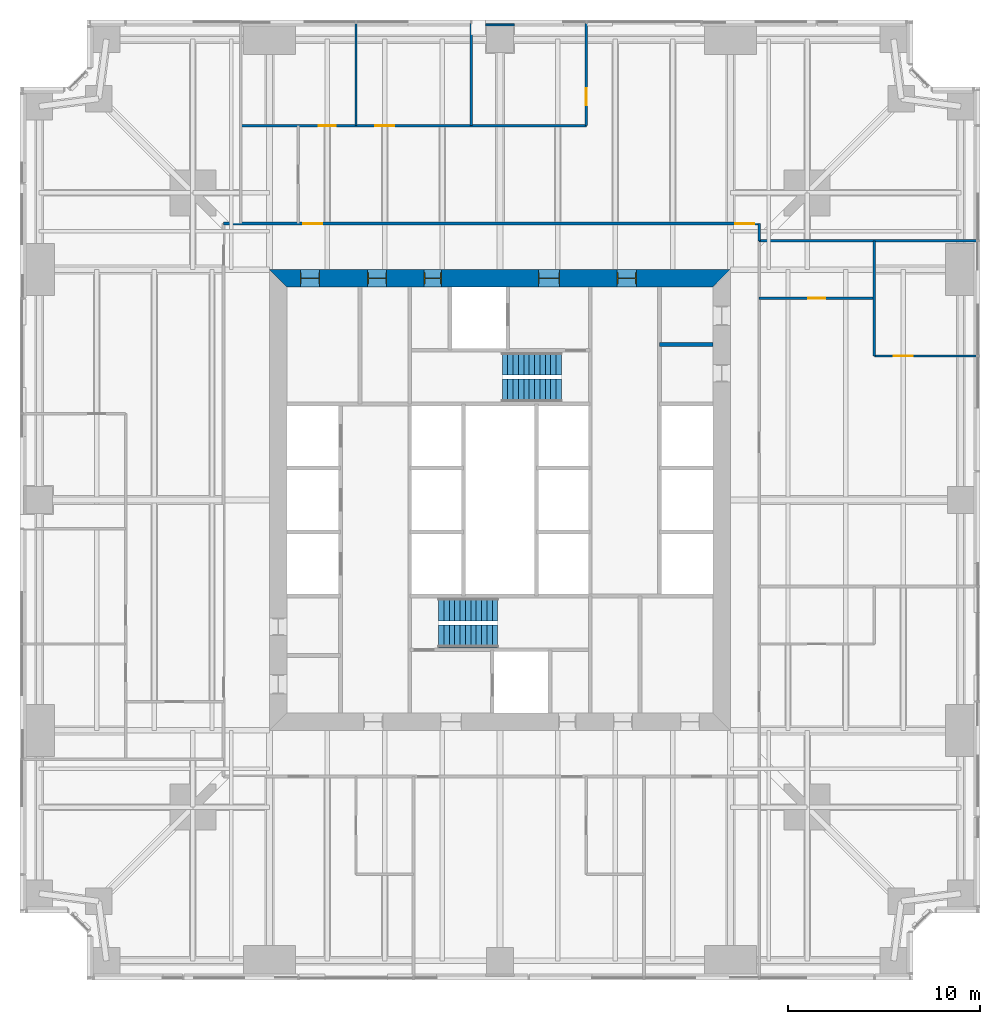
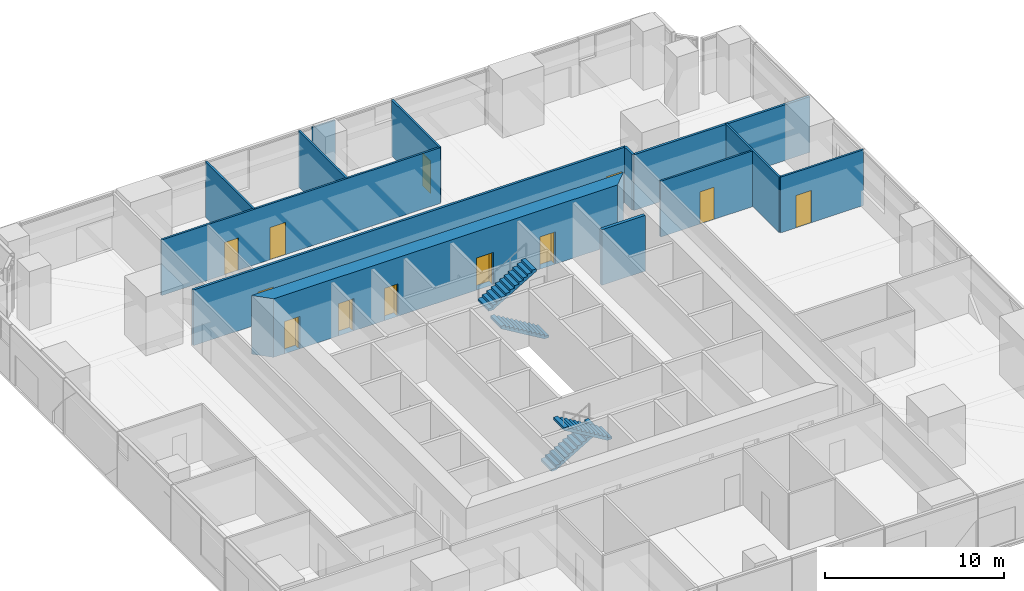
# One storey, part 11 of 14: 13 walls, 12 doors, 4 stair flights, 12 openings, 2 elements without a shape of their own.
"""IFC4 building model written with IfcOpenShell, lengths in metres."""

from ifc_helpers import new_model, si_unit, direction, frame, frame_2d, origin, place, context, subcontext, project, spatial, polyline, rectangle, outline, extrude, material, layer, layer_set, type_object, element, fill, aggregate, save


model = new_model("IFC4")

# Units and contexts
model_context = context("Model", 3, precision=1e-05, world=origin(), true_north=direction((0.0, 1.0)))
body_context = subcontext(model_context, "Body", "Model", "MODEL_VIEW")
ifc_project = project(units=[si_unit("LENGTHUNIT", "METRE"), si_unit("AREAUNIT", "SQUARE_METRE"), si_unit("VOLUMEUNIT", "CUBIC_METRE"), si_unit("PLANEANGLEUNIT", "RADIAN"), si_unit("MASSUNIT", "GRAM", prefix="KILO")], contexts=[model_context])

# Site, building, storey
site_placement = place(None, origin())
site = spatial("IfcSite", under=ifc_project, at=site_placement, CompositionType="ELEMENT")
building_placement = place(site_placement, origin())
building = spatial("IfcBuilding", under=site, at=building_placement, Name="Fenwick Lantern Interchange", CompositionType="ELEMENT")
storey_placement = place(building_placement, frame((0.0, 0.0, 87.0)))
storey = spatial("IfcBuildingStorey", under=building, at=storey_placement, Name="L20", CompositionType="ELEMENT", Elevation=87.0)

# Walls
ifc_material_1 = material(Name="Fire-rated gypsum board encasement on steel studs, 2 hour", Category="steel")
ifc_layer_1 = layer(ifc_material_1, 1.5)
ifc_layer_set_1 = layer_set([ifc_layer_1], Name="COLUMN PIER 1500")
wall_type_1 = type_object("IfcWallType", Name="COLUMN PIER 1500", PredefinedType="PARTITIONING", material=ifc_layer_set_1)
wall_1_placement = place(storey_placement, frame((25.0, 49.800048828125, 0.0), z_axis=(0.0, 0.0, 1.0), x_axis=(0.0, -1.0, 0.0)))
element("IfcWall", 1, at=wall_1_placement, inside=storey, type_object=wall_type_1, Name="L20/W/PIER/CN3", PredefinedType="PARTITIONING", context=body_context, shape_type="SweptSolid", body=[
    extrude(rectangle(XDim=0.10009765625, YDim=1.5, at=frame_2d((0.050048828125, 0.0))), origin(), (0.0, 0.0, 1.0), 3.800048828125),
])
ifc_material_2 = material(Name="Concrete masonry ASTM C90 Grade N", Category="masonry")
ifc_layer_2 = layer(ifc_material_2, 0.199951171875)
ifc_layer_set_2 = layer_set([ifc_layer_2], Name="Concrete masonry ASTM C90 Grade N")
wall_type_2 = type_object("IfcWallType", Name="CORE PARTITION 200", PredefinedType="PARTITIONING", material=ifc_layer_set_2)
wall_2_placement = place(storey_placement, frame((36.10009765625, 33.10009765625, 0.0), z_axis=(0.0, 0.0, 1.0), x_axis=(-1.0, 0.0, 0.0)))
element("IfcWall", 2, at=wall_2_placement, inside=storey, type_object=wall_type_2, Name="L20/W/COREN/p1", PredefinedType="PARTITIONING", context=body_context, shape_type="SweptSolid", body=[
    extrude(rectangle(XDim=2.800048828125, YDim=0.199951171875, at=frame_2d((1.39990234375, 0.0))), origin(), (0.0, 0.0, 1.0), 3.800048828125),
])

# Wall, openings, doors
ifc_material_3 = material(Name="Concrete f'c 70 MPa", Category="concrete")
ifc_layer_3 = layer(ifc_material_3, 0.89990234375)
ifc_layer_set_3 = layer_set([ifc_layer_3], Name="CORE WALL 900")
wall_type_3 = type_object("IfcWallType", Name="CORE WALL 900", PredefinedType="SHEAR", material=ifc_layer_set_3)
wall_3_placement = place(storey_placement, frame((37.0, 36.550048828125, 0.0), z_axis=(0.0, 0.0, 1.0), x_axis=(-1.0, 0.0, 0.0)))
wall_3 = element("IfcWall", 3, at=wall_3_placement, inside=storey, type_object=wall_type_3, Name="L20/CORE/N", PredefinedType="SHEAR", context=body_context, shape_type="SweptSolid", body=[
    extrude(outline(polyline([(0.0, -0.449951171875), (24.0, -0.449951171875), (23.10009765625, 0.449951171875), (0.89990234375, 0.449951171875), (0.0, -0.449951171875)])), origin(), (0.0, 0.0, 1.0), 4.0),
])
opening_1_placement = place(wall_3_placement, frame((4.89990234375, 0.0, 0.0)))
opening_1 = element("IfcOpeningElement", 4, at=opening_1_placement, cuts=wall_3, Name="Opening L20-D009", PredefinedType="OPENING", context=body_context, shape_type="SweptSolid", body=[
    extrude(rectangle(XDim=1.0, YDim=2.199951171875, at=frame_2d((0.5, 1.10009765625))), frame((0.0, 0.4599609375, 0.0), z_axis=(0.0, -1.0, 0.0), x_axis=(1.0, 0.0, 0.0)), (0.0, 0.0, 1.0), 0.919921875),
])
opening_2_placement = place(wall_3_placement, frame((8.89990234375, 0.0, 0.0)))
opening_2 = element("IfcOpeningElement", 5, at=opening_2_placement, cuts=wall_3, Name="Opening L20-D010", PredefinedType="OPENING", context=body_context, shape_type="SweptSolid", body=[
    extrude(rectangle(XDim=1.10009765625, YDim=2.199951171875, at=frame_2d((0.550048828125, 1.10009765625))), frame((0.0, 0.4599609375, 0.0), z_axis=(0.0, -1.0, 0.0), x_axis=(1.0, 0.0, 0.0)), (0.0, 0.0, 1.0), 0.919921875),
])
opening_3_placement = place(wall_3_placement, frame((15.050048828125, 0.0, 0.0)))
opening_3 = element("IfcOpeningElement", 6, at=opening_3_placement, cuts=wall_3, Name="Opening L20-D012", PredefinedType="OPENING", context=body_context, shape_type="SweptSolid", body=[
    extrude(rectangle(XDim=0.89990234375, YDim=2.199951171875, at=frame_2d((0.449951171875, 1.10009765625))), frame((0.0, 0.4599609375, 0.0), z_axis=(0.0, -1.0, 0.0), x_axis=(1.0, 0.0, 0.0)), (0.0, 0.0, 1.0), 0.919921875),
])
opening_4_placement = place(wall_3_placement, frame((17.89990234375, 0.0, 0.0)))
opening_4 = element("IfcOpeningElement", 7, at=opening_4_placement, cuts=wall_3, Name="Opening L20-D013", PredefinedType="OPENING", context=body_context, shape_type="SweptSolid", body=[
    extrude(rectangle(XDim=1.0, YDim=2.199951171875, at=frame_2d((0.5, 1.10009765625))), frame((0.0, 0.4599609375, 0.0), z_axis=(0.0, -1.0, 0.0), x_axis=(1.0, 0.0, 0.0)), (0.0, 0.0, 1.0), 0.919921875),
])
opening_5_placement = place(wall_3_placement, frame((21.39990234375, 0.0, 0.0)))
opening_5 = element("IfcOpeningElement", 8, at=opening_5_placement, cuts=wall_3, Name="Opening L20-D014", PredefinedType="OPENING", context=body_context, shape_type="SweptSolid", body=[
    extrude(rectangle(XDim=1.0, YDim=2.199951171875, at=frame_2d((0.5, 1.10009765625))), frame((0.0, 0.4599609375, 0.0), z_axis=(0.0, -1.0, 0.0), x_axis=(1.0, 0.0, 0.0)), (0.0, 0.0, 1.0), 0.919921875),
])
ifc_material_4 = material(Name="Steel door and frame", Category="steel")
door_type_1 = type_object("IfcDoorType", Name="CORE LOBBY DOOR 1000 X 2200", OperationType="SINGLE_SWING_LEFT", PredefinedType="DOOR", material=ifc_material_4)
door_1_placement = place(opening_1_placement, origin())
door_1 = element("IfcDoor", 9, at=door_1_placement, inside=storey, type_object=door_type_1, Name="Core lobby door", OperationType="SINGLE_SWING_LEFT", OverallHeight=2.199951171875, OverallWidth=1.0, PredefinedType="DOOR", context=body_context, shape_type="SweptSolid", body=[
    extrude(rectangle(XDim=1.0, YDim=2.199951171875, at=frame_2d((0.5, 1.10009765625))), frame((0.0, 0.02490234375, 0.0), z_axis=(0.0, -1.0, 0.0), x_axis=(1.0, 0.0, 0.0)), (0.0, 0.0, 1.0), 0.050048828125),
    extrude(outline(polyline([(0.0, 0.0), (0.0400390625, 0.0), (0.0400390625, 2.159912109375), (0.9599609375, 2.159912109375), (0.9599609375, 0.0), (1.0, 0.0), (1.0, 2.199951171875), (0.0, 2.199951171875), (0.0, 0.0)])), frame((0.0, 0.300048828125, 0.0), z_axis=(0.0, -1.0, 0.0), x_axis=(1.0, 0.0, 0.0)), (0.0, 0.0, 1.0), 0.60009765625),
])
fill(opening_1, door_1)
door_type_2 = type_object("IfcDoorType", Name="FIRE LOBBY DOOR 1100 X 2200", OperationType="SINGLE_SWING_LEFT", PredefinedType="DOOR", material=ifc_material_4)
door_2_placement = place(opening_2_placement, origin())
door_2 = element("IfcDoor", 10, at=door_2_placement, inside=storey, type_object=door_type_2, Name="Fire lobby door", OperationType="SINGLE_SWING_LEFT", OverallHeight=2.199951171875, OverallWidth=1.10009765625, PredefinedType="DOOR", context=body_context, shape_type="SweptSolid", body=[
    extrude(rectangle(XDim=1.10009765625, YDim=2.199951171875, at=frame_2d((0.550048828125, 1.10009765625))), frame((0.0, 0.02490234375, 0.0), z_axis=(0.0, -1.0, 0.0), x_axis=(1.0, 0.0, 0.0)), (0.0, 0.0, 1.0), 0.050048828125),
    extrude(outline(polyline([(0.0, 0.0), (0.0400390625, 0.0), (0.0400390625, 2.159912109375), (1.06005859375, 2.159912109375), (1.06005859375, 0.0), (1.10009765625, 0.0), (1.10009765625, 2.199951171875), (0.0, 2.199951171875), (0.0, 0.0)])), frame((0.0, 0.300048828125, 0.0), z_axis=(0.0, -1.0, 0.0), x_axis=(1.0, 0.0, 0.0)), (0.0, 0.0, 1.0), 0.60009765625),
])
fill(opening_2, door_2)
door_type_3 = type_object("IfcDoorType", Name="SERVICE DOOR 900 X 2200", OperationType="SINGLE_SWING_LEFT", PredefinedType="DOOR", material=ifc_material_4)
door_3_placement = place(opening_3_placement, origin())
door_3 = element("IfcDoor", 11, at=door_3_placement, inside=storey, type_object=door_type_3, Name="Service door", OperationType="SINGLE_SWING_LEFT", OverallHeight=2.199951171875, OverallWidth=0.89990234375, PredefinedType="DOOR", context=body_context, shape_type="SweptSolid", body=[
    extrude(rectangle(XDim=0.89990234375, YDim=2.199951171875, at=frame_2d((0.449951171875, 1.10009765625))), frame((0.0, 0.02490234375, 0.0), z_axis=(0.0, -1.0, 0.0), x_axis=(1.0, 0.0, 0.0)), (0.0, 0.0, 1.0), 0.050048828125),
    extrude(outline(polyline([(0.0, 0.0), (0.0400390625, 0.0), (0.0400390625, 2.159912109375), (0.85986328125, 2.159912109375), (0.85986328125, 0.0), (0.89990234375, 0.0), (0.89990234375, 2.199951171875), (0.0, 2.199951171875), (0.0, 0.0)])), frame((0.0, 0.300048828125, 0.0), z_axis=(0.0, -1.0, 0.0), x_axis=(1.0, 0.0, 0.0)), (0.0, 0.0, 1.0), 0.60009765625),
])
fill(opening_3, door_3)
ifc_material_5 = material(Name="Hardwood door and steel frame", Category="steel")
door_type_4 = type_object("IfcDoorType", Name="WC DOOR 1000 X 2200", OperationType="SINGLE_SWING_LEFT", PredefinedType="DOOR", material=ifc_material_5)
door_4_placement = place(opening_4_placement, origin())
door_4 = element("IfcDoor", 12, at=door_4_placement, inside=storey, type_object=door_type_4, Name="Wc door", OperationType="SINGLE_SWING_RIGHT", OverallHeight=2.199951171875, OverallWidth=1.0, PredefinedType="DOOR", context=body_context, shape_type="SweptSolid", body=[
    extrude(rectangle(XDim=1.0, YDim=2.199951171875, at=frame_2d((0.5, 1.10009765625))), frame((0.0, 0.02490234375, 0.0), z_axis=(0.0, -1.0, 0.0), x_axis=(1.0, 0.0, 0.0)), (0.0, 0.0, 1.0), 0.050048828125),
    extrude(outline(polyline([(0.0, 0.0), (0.0400390625, 0.0), (0.0400390625, 2.159912109375), (0.9599609375, 2.159912109375), (0.9599609375, 0.0), (1.0, 0.0), (1.0, 2.199951171875), (0.0, 2.199951171875), (0.0, 0.0)])), frame((0.0, 0.300048828125, 0.0), z_axis=(0.0, -1.0, 0.0), x_axis=(1.0, 0.0, 0.0)), (0.0, 0.0, 1.0), 0.60009765625),
])
fill(opening_4, door_4)
door_5_placement = place(opening_5_placement, origin())
door_5 = element("IfcDoor", 13, at=door_5_placement, inside=storey, type_object=door_type_4, Name="Wc door", OperationType="SINGLE_SWING_RIGHT", OverallHeight=2.199951171875, OverallWidth=1.0, PredefinedType="DOOR", context=body_context, shape_type="SweptSolid", body=[
    extrude(rectangle(XDim=1.0, YDim=2.199951171875, at=frame_2d((0.5, 1.10009765625))), frame((0.0, 0.02490234375, 0.0), z_axis=(0.0, -1.0, 0.0), x_axis=(1.0, 0.0, 0.0)), (0.0, 0.0, 1.0), 0.050048828125),
    extrude(outline(polyline([(0.0, 0.0), (0.0400390625, 0.0), (0.0400390625, 2.159912109375), (0.9599609375, 2.159912109375), (0.9599609375, 0.0), (1.0, 0.0), (1.0, 2.199951171875), (0.0, 2.199951171875), (0.0, 0.0)])), frame((0.0, 0.300048828125, 0.0), z_axis=(0.0, -1.0, 0.0), x_axis=(1.0, 0.0, 0.0)), (0.0, 0.0, 1.0), 0.60009765625),
])
fill(opening_5, door_5)

# Wall
ifc_material_6 = material(Name="Gypsum board on steel studs, 1 hour", Category="steel")
ifc_layer_4 = layer(ifc_material_6, 0.14990234375)
ifc_layer_set_4 = layer_set([ifc_layer_4], Name="CORRIDOR WALL 150")
wall_type_4 = type_object("IfcWallType", Name="CORRIDOR WALL 150", PredefinedType="PARTITIONING", material=ifc_layer_set_4)
wall_4_placement = place(storey_placement, frame((38.5, 38.5, 0.0), z_axis=(0.0, 0.0, 1.0), x_axis=(0.0, 1.0, 0.0)))
element("IfcWall", 14, at=wall_4_placement, inside=storey, type_object=wall_type_4, Name="L20/W/OFF/N/CWJ", PredefinedType="PARTITIONING", context=body_context, shape_type="SweptSolid", body=[
    extrude(rectangle(XDim=0.89990234375, YDim=0.14990234375, at=frame_2d((0.449951171875, 0.0))), origin(), (0.0, 0.0, 1.0), 3.800048828125),
])

# Wall, openings, doors
wall_5_placement = place(storey_placement, frame((38.5, 39.39990234375, 0.0), z_axis=(0.0, 0.0, 1.0), x_axis=(-1.0, 0.0, 0.0)))
wall_5 = element("IfcWall", 15, at=wall_5_placement, inside=storey, type_object=wall_type_4, Name="L20/W/OFF/N/CW2", PredefinedType="PARTITIONING", context=body_context, shape_type="SweptSolid", body=[
    extrude(rectangle(XDim=27.89990234375, YDim=0.14990234375, at=frame_2d((13.949951171875, 0.0))), origin(), (0.0, 0.0, 1.0), 3.800048828125),
])
opening_6_placement = place(wall_5_placement, frame((0.25, 0.0, 0.0)))
opening_6 = element("IfcOpeningElement", 16, at=opening_6_placement, cuts=wall_5, Name="Opening L20-D028", PredefinedType="OPENING", context=body_context, shape_type="SweptSolid", body=[
    extrude(rectangle(XDim=1.0, YDim=2.199951171875, at=frame_2d((0.5, 1.10009765625))), frame((0.0, 0.0849609375, 0.0), z_axis=(0.0, -1.0, 0.0), x_axis=(1.0, 0.0, 0.0)), (0.0, 0.0, 1.0), 0.169921875),
])
opening_7_placement = place(wall_5_placement, frame((22.75, 0.0, 0.0)))
opening_7 = element("IfcOpeningElement", 17, at=opening_7_placement, cuts=wall_5, Name="Opening L20-D029", PredefinedType="OPENING", context=body_context, shape_type="SweptSolid", body=[
    extrude(rectangle(XDim=1.0, YDim=2.199951171875, at=frame_2d((0.5, 1.10009765625))), frame((0.0, 0.0849609375, 0.0), z_axis=(0.0, -1.0, 0.0), x_axis=(1.0, 0.0, 0.0)), (0.0, 0.0, 1.0), 0.169921875),
])
door_type_5 = type_object("IfcDoorType", Name="SUITE ENTRANCE DOOR 1000 X 2200", OperationType="SINGLE_SWING_LEFT", PredefinedType="DOOR", material=ifc_material_4)
door_6_placement = place(opening_6_placement, origin())
door_6 = element("IfcDoor", 18, at=door_6_placement, inside=storey, type_object=door_type_5, Name="Suite entrance door", OperationType="SINGLE_SWING_LEFT", OverallHeight=2.199951171875, OverallWidth=1.0, PredefinedType="DOOR", context=body_context, shape_type="SweptSolid", body=[
    extrude(rectangle(XDim=1.0, YDim=2.199951171875, at=frame_2d((0.5, 1.10009765625))), frame((0.0, 0.02490234375, 0.0), z_axis=(0.0, -1.0, 0.0), x_axis=(1.0, 0.0, 0.0)), (0.0, 0.0, 1.0), 0.050048828125),
])
fill(opening_6, door_6)
door_7_placement = place(opening_7_placement, origin())
door_7 = element("IfcDoor", 19, at=door_7_placement, inside=storey, type_object=door_type_5, Name="Suite entrance door", OperationType="SINGLE_SWING_RIGHT", OverallHeight=2.199951171875, OverallWidth=1.0, PredefinedType="DOOR", context=body_context, shape_type="SweptSolid", body=[
    extrude(rectangle(XDim=1.0, YDim=2.199951171875, at=frame_2d((0.5, 1.10009765625))), frame((0.0, 0.02490234375, 0.0), z_axis=(0.0, -1.0, 0.0), x_axis=(1.0, 0.0, 0.0)), (0.0, 0.0, 1.0), 0.050048828125),
])
fill(opening_7, door_7)

# Wall, opening, door
ifc_material_7 = material(Name="Gypsum board on steel studs, acoustic", Category="steel")
ifc_layer_5 = layer(ifc_material_7, 0.125)
ifc_layer_set_5 = layer_set([ifc_layer_5], Name="OFFICE PARTITION 125")
wall_type_5 = type_object("IfcWallType", Name="OFFICE PARTITION 125", PredefinedType="PARTITIONING", material=ifc_layer_set_5)
wall_6_placement = place(storey_placement, frame((49.85009765625, 32.5, 0.0), z_axis=(0.0, 0.0, 1.0), x_axis=(-1.0, 0.0, 0.0)))
wall_6 = element("IfcWall", 20, at=wall_6_placement, inside=storey, type_object=wall_type_5, Name="L20/W/OFF/E/X325-1", PredefinedType="PARTITIONING", context=body_context, shape_type="SweptSolid", body=[
    extrude(rectangle(XDim=5.35009765625, YDim=0.125, at=frame_2d((2.675048828125, 0.0))), origin(), (0.0, 0.0, 1.0), 3.800048828125),
])
opening_8_placement = place(wall_6_placement, frame((3.35009765625, 0.0, 0.0)))
opening_8 = element("IfcOpeningElement", 21, at=opening_8_placement, cuts=wall_6, Name="Opening L20-D026", PredefinedType="OPENING", context=body_context, shape_type="SweptSolid", body=[
    extrude(rectangle(XDim=1.0, YDim=2.199951171875, at=frame_2d((0.5, 1.10009765625))), frame((0.0, 0.072509765625, 0.0), z_axis=(0.0, -1.0, 0.0), x_axis=(1.0, 0.0, 0.0)), (0.0, 0.0, 1.0), 0.14501953125),
])
door_type_6 = type_object("IfcDoorType", Name="MEETING ROOM DOOR 1000 X 2200", OperationType="SINGLE_SWING_LEFT", PredefinedType="DOOR", material=ifc_material_5)
door_8_placement = place(opening_8_placement, frame((1.0, 0.0, 0.0), z_axis=(0.0, 0.0, 1.0), x_axis=(-1.0, 0.0, 0.0)))
door_8 = element("IfcDoor", 22, at=door_8_placement, inside=storey, type_object=door_type_6, Name="Meeting room door", OperationType="SINGLE_SWING_LEFT", OverallHeight=2.199951171875, OverallWidth=1.0, PredefinedType="DOOR", context=body_context, shape_type="SweptSolid", body=[
    extrude(rectangle(XDim=1.0, YDim=2.199951171875, at=frame_2d((0.5, 1.10009765625))), frame((0.0, 0.02490234375, 0.0), z_axis=(0.0, -1.0, 0.0), x_axis=(1.0, 0.0, 0.0)), (0.0, 0.0, 1.0), 0.050048828125),
])
fill(opening_8, door_8)

wall_7_placement = place(storey_placement, frame((44.5, 35.5, 0.0), z_axis=(0.0, 0.0, 1.0), x_axis=(-1.0, 0.0, 0.0)))
wall_7 = element("IfcWall", 23, at=wall_7_placement, inside=storey, type_object=wall_type_5, Name="L20/W/OFF/E/X355-1", PredefinedType="PARTITIONING", context=body_context, shape_type="SweptSolid", body=[
    extrude(rectangle(XDim=6.0, YDim=0.125, at=frame_2d((3.0, 0.0))), origin(), (0.0, 0.0, 1.0), 3.800048828125),
])
opening_9_placement = place(wall_7_placement, frame((2.550048828125, 0.0, 0.0)))
opening_9 = element("IfcOpeningElement", 24, at=opening_9_placement, cuts=wall_7, Name="Opening L20-D027", PredefinedType="OPENING", context=body_context, shape_type="SweptSolid", body=[
    extrude(rectangle(XDim=0.89990234375, YDim=2.199951171875, at=frame_2d((0.449951171875, 1.10009765625))), frame((0.0, 0.072509765625, 0.0), z_axis=(0.0, -1.0, 0.0), x_axis=(1.0, 0.0, 0.0)), (0.0, 0.0, 1.0), 0.14501953125),
])
door_type_7 = type_object("IfcDoorType", Name="OFFICE DOOR 900 X 2200", OperationType="SINGLE_SWING_LEFT", PredefinedType="DOOR", material=ifc_material_5)
door_9_placement = place(opening_9_placement, frame((0.89990234375, 0.0, 0.0), z_axis=(0.0, 0.0, 1.0), x_axis=(-1.0, 0.0, 0.0)))
door_9 = element("IfcDoor", 25, at=door_9_placement, inside=storey, type_object=door_type_7, Name="Office door", OperationType="SINGLE_SWING_RIGHT", OverallHeight=2.199951171875, OverallWidth=0.89990234375, PredefinedType="DOOR", context=body_context, shape_type="SweptSolid", body=[
    extrude(rectangle(XDim=0.89990234375, YDim=2.199951171875, at=frame_2d((0.449951171875, 1.10009765625))), frame((0.0, 0.02490234375, 0.0), z_axis=(0.0, -1.0, 0.0), x_axis=(1.0, 0.0, 0.0)), (0.0, 0.0, 1.0), 0.050048828125),
])
fill(opening_9, door_9)

# Wall
wall_8_placement = place(storey_placement, frame((44.5, 32.5, 0.0), z_axis=(0.0, 0.0, 1.0), x_axis=(0.0, 1.0, 0.0)))
element("IfcWall", 26, at=wall_8_placement, inside=storey, type_object=wall_type_5, Name="L20/W/OFF/E/Y55-2", PredefinedType="PARTITIONING", context=body_context, shape_type="SweptSolid", body=[
    extrude(rectangle(XDim=6.0, YDim=0.125, at=frame_2d((3.0, 0.0))), origin(), (0.0, 0.0, 1.0), 3.800048828125),
])

# Wall, opening, door
wall_9_placement = place(storey_placement, frame((29.5, 49.85009765625, 0.0), z_axis=(0.0, 0.0, 1.0), x_axis=(0.0, -1.0, 0.0)))
wall_9 = element("IfcWall", 27, at=wall_9_placement, inside=storey, type_object=wall_type_5, Name="L20/W/OFF/N/X205-1", PredefinedType="PARTITIONING", context=body_context, shape_type="SweptSolid", body=[
    extrude(rectangle(XDim=5.35009765625, YDim=0.125, at=frame_2d((2.675048828125, 0.0))), origin(), (0.0, 0.0, 1.0), 3.800048828125),
])
opening_10_placement = place(wall_9_placement, frame((3.39990234375, 0.0, 0.0)))
opening_10 = element("IfcOpeningElement", 28, at=opening_10_placement, cuts=wall_9, Name="Opening L20-D030", PredefinedType="OPENING", context=body_context, shape_type="SweptSolid", body=[
    extrude(rectangle(XDim=0.89990234375, YDim=2.199951171875, at=frame_2d((0.449951171875, 1.10009765625))), frame((0.0, 0.072509765625, 0.0), z_axis=(0.0, -1.0, 0.0), x_axis=(1.0, 0.0, 0.0)), (0.0, 0.0, 1.0), 0.14501953125),
])
door_10_placement = place(opening_10_placement, frame((0.89990234375, 0.0, 0.0), z_axis=(0.0, 0.0, 1.0), x_axis=(-1.0, 0.0, 0.0)))
door_10 = element("IfcDoor", 29, at=door_10_placement, inside=storey, type_object=door_type_7, Name="Office door", OperationType="SINGLE_SWING_LEFT", OverallHeight=2.199951171875, OverallWidth=0.89990234375, PredefinedType="DOOR", context=body_context, shape_type="SweptSolid", body=[
    extrude(rectangle(XDim=0.89990234375, YDim=2.199951171875, at=frame_2d((0.449951171875, 1.10009765625))), frame((0.0, 0.02490234375, 0.0), z_axis=(0.0, -1.0, 0.0), x_axis=(1.0, 0.0, 0.0)), (0.0, 0.0, 1.0), 0.050048828125),
])
fill(opening_10, door_10)

# Walls
for number, where, z_axis, x_axis, name in (
    (30, (23.5, 49.85009765625, 0.0), (0.0, 0.0, 1.0), (0.0, -1.0, 0.0), "L20/W/OFF/N/X265-1"),
    (31, (17.5, 49.85009765625, 0.0), (0.0, 0.0, 1.0), (0.0, -1.0, 0.0), "L20/W/OFF/N/X325-1"),
):
    element("IfcWall", number, at=place(storey_placement, frame(where, z_axis=z_axis, x_axis=x_axis)), inside=storey, type_object=wall_type_5, Name=name, PredefinedType="PARTITIONING", context=body_context, shape_type="SweptSolid", body=[
        extrude(rectangle(XDim=5.35009765625, YDim=0.125, at=frame_2d((2.675048828125, 0.0))), origin(), (0.0, 0.0, 1.0), 3.800048828125),
    ])

# Wall, openings, doors
wall_10_placement = place(storey_placement, frame((29.5, 44.5, 0.0), z_axis=(0.0, 0.0, 1.0), x_axis=(-1.0, 0.0, 0.0)))
wall_10 = element("IfcWall", 32, at=wall_10_placement, inside=storey, type_object=wall_type_5, Name="L20/W/OFF/N/Y55-1", PredefinedType="PARTITIONING", context=body_context, shape_type="SweptSolid", body=[
    extrude(rectangle(XDim=18.0, YDim=0.125, at=frame_2d((9.0, 0.0))), origin(), (0.0, 0.0, 1.0), 3.800048828125),
])
opening_11_placement = place(wall_10_placement, frame((10.0, 0.0, 0.0)))
opening_11 = element("IfcOpeningElement", 33, at=opening_11_placement, cuts=wall_10, Name="Opening L20-D031", PredefinedType="OPENING", context=body_context, shape_type="SweptSolid", body=[
    extrude(rectangle(XDim=1.0, YDim=2.199951171875, at=frame_2d((0.5, 1.10009765625))), frame((0.0, 0.072509765625, 0.0), z_axis=(0.0, -1.0, 0.0), x_axis=(1.0, 0.0, 0.0)), (0.0, 0.0, 1.0), 0.14501953125),
])
opening_12_placement = place(wall_10_placement, frame((13.050048828125, 0.0, 0.0)))
opening_12 = element("IfcOpeningElement", 34, at=opening_12_placement, cuts=wall_10, Name="Opening L20-D032", PredefinedType="OPENING", context=body_context, shape_type="SweptSolid", body=[
    extrude(rectangle(XDim=0.89990234375, YDim=2.199951171875, at=frame_2d((0.449951171875, 1.10009765625))), frame((0.0, 0.072509765625, 0.0), z_axis=(0.0, -1.0, 0.0), x_axis=(1.0, 0.0, 0.0)), (0.0, 0.0, 1.0), 0.14501953125),
])
door_11_placement = place(opening_11_placement, frame((1.0, 0.0, 0.0), z_axis=(0.0, 0.0, 1.0), x_axis=(-1.0, 0.0, 0.0)))
door_11 = element("IfcDoor", 35, at=door_11_placement, inside=storey, type_object=door_type_6, Name="Meeting room door", OperationType="SINGLE_SWING_LEFT", OverallHeight=2.199951171875, OverallWidth=1.0, PredefinedType="DOOR", context=body_context, shape_type="SweptSolid", body=[
    extrude(rectangle(XDim=1.0, YDim=2.199951171875, at=frame_2d((0.5, 1.10009765625))), frame((0.0, 0.02490234375, 0.0), z_axis=(0.0, -1.0, 0.0), x_axis=(1.0, 0.0, 0.0)), (0.0, 0.0, 1.0), 0.050048828125),
])
fill(opening_11, door_11)
door_12_placement = place(opening_12_placement, frame((0.89990234375, 0.0, 0.0), z_axis=(0.0, 0.0, 1.0), x_axis=(-1.0, 0.0, 0.0)))
door_12 = element("IfcDoor", 36, at=door_12_placement, inside=storey, type_object=door_type_7, Name="Office door", OperationType="SINGLE_SWING_RIGHT", OverallHeight=2.199951171875, OverallWidth=0.89990234375, PredefinedType="DOOR", context=body_context, shape_type="SweptSolid", body=[
    extrude(rectangle(XDim=0.89990234375, YDim=2.199951171875, at=frame_2d((0.449951171875, 1.10009765625))), frame((0.0, 0.02490234375, 0.0), z_axis=(0.0, -1.0, 0.0), x_axis=(1.0, 0.0, 0.0)), (0.0, 0.0, 1.0), 0.050048828125),
])
fill(opening_12, door_12)

# Wall
ifc_material_8 = material(Name="Gypsum board on steel studs, 1 hour acoustic", Category="steel")
ifc_layer_6 = layer(ifc_material_8, 0.14990234375)
ifc_layer_set_6 = layer_set([ifc_layer_6], Name="TENANT WALL 150")
wall_type_6 = type_object("IfcWallType", Name="TENANT WALL 150", PredefinedType="PARTITIONING", material=ifc_layer_set_6)
wall_11_placement = place(storey_placement, frame((49.85009765625, 38.5, 0.0), z_axis=(0.0, 0.0, 1.0), x_axis=(-1.0, 0.0, 0.0)))
element("IfcWall", 37, at=wall_11_placement, inside=storey, type_object=wall_type_6, Name="L20/W/OFF/N/BACK", PredefinedType="PARTITIONING", context=body_context, shape_type="SweptSolid", body=[
    extrude(rectangle(XDim=11.35009765625, YDim=0.14990234375, at=frame_2d((5.675048828125, 0.0))), origin(), (0.0, 0.0, 1.0), 3.800048828125),
])

# Stair, stair flights
ifc_material_9 = material(Name="Precast concrete f'c 35 MPa", Category="concrete")
stair_type = type_object("IfcStairType", Name="EXIT STAIR 1200", PredefinedType="HALF_TURN_STAIR", material=ifc_material_9)
stair_1_placement = place(storey_placement, origin())
stair_1 = element("IfcStair", 38, at=stair_1_placement, inside=storey, type_object=stair_type, Name="Exit stair ST1", PredefinedType="HALF_TURN_STAIR")
stair_flight_type = type_object("IfcStairFlightType", Name="STAIR FLIGHT 1200", PredefinedType="STRAIGHT", material=ifc_material_9)
stair_flight_1_placement = place(storey_placement, frame((21.800048828125, 19.300048828125, 0.0), z_axis=(0.0, 0.0, 1.0), x_axis=(1.0, 0.0, 0.0)))
stair_flight_1 = element("IfcStairFlight", 39, at=stair_flight_1_placement, type_object=stair_flight_type, Name="ST1 flight 1", NumberOfRisers=12, NumberOfTreads=11, PredefinedType="STRAIGHT", RiserHeight=0.166666667, TreadLength=0.28, context=body_context, shape_type="SweptSolid", body=[
    extrude(outline(polyline([(0.0, 0.0), (0.0, 0.166748046875), (0.280029296875, 0.166748046875), (0.280029296875, 0.333251953125), (0.56005859375, 0.333251953125), (0.56005859375, 0.5), (0.840087890625, 0.5), (0.840087890625, 0.666748046875), (1.1201171875, 0.666748046875), (1.1201171875, 0.833251953125), (1.39990234375, 0.833251953125), (1.39990234375, 1.0), (1.679931640625, 1.0), (1.679931640625, 1.166748046875), (1.9599609375, 1.166748046875), (1.9599609375, 1.333251953125), (2.239990234375, 1.333251953125), (2.239990234375, 1.5), (2.52001953125, 1.5), (2.52001953125, 1.666748046875), (2.800048828125, 1.666748046875), (2.800048828125, 1.833251953125), (3.080078125, 1.833251953125), (3.080078125, 2.0), (3.080078125, 1.658935546875), (0.29296875, 0.0), (0.0, 0.0)])), frame((0.0, 0.60009765625, 0.0), z_axis=(0.0, -1.0, 0.0), x_axis=(1.0, 0.0, 0.0)), (0.0, 0.0, 1.0), 1.199951171875),
])
stair_flight_2_placement = place(storey_placement, frame((24.8798828125, 17.89990234375, 2.0), z_axis=(0.0, 0.0, 1.0), x_axis=(-1.0, 0.0, 0.0)))
stair_flight_2 = element("IfcStairFlight", 40, at=stair_flight_2_placement, type_object=stair_flight_type, Name="ST1 flight 2", NumberOfRisers=12, NumberOfTreads=11, PredefinedType="STRAIGHT", RiserHeight=0.166666667, TreadLength=0.28, context=body_context, shape_type="SweptSolid", body=[
    extrude(outline(polyline([(0.0, 0.0), (0.0, 0.166748046875), (0.280029296875, 0.166748046875), (0.280029296875, 0.333251953125), (0.56005859375, 0.333251953125), (0.56005859375, 0.5), (0.840087890625, 0.5), (0.840087890625, 0.666748046875), (1.1201171875, 0.666748046875), (1.1201171875, 0.833251953125), (1.39990234375, 0.833251953125), (1.39990234375, 1.0), (1.679931640625, 1.0), (1.679931640625, 1.166748046875), (1.9599609375, 1.166748046875), (1.9599609375, 1.333251953125), (2.239990234375, 1.333251953125), (2.239990234375, 1.5), (2.52001953125, 1.5), (2.52001953125, 1.666748046875), (2.800048828125, 1.666748046875), (2.800048828125, 1.833251953125), (3.080078125, 1.833251953125), (3.080078125, 2.0), (3.080078125, 1.658935546875), (0.29296875, 0.0), (0.0, 0.0)])), frame((0.0, 0.60009765625, 0.0), z_axis=(0.0, -1.0, 0.0), x_axis=(1.0, 0.0, 0.0)), (0.0, 0.0, 1.0), 1.199951171875),
])
aggregate(stair_1, [stair_flight_1, stair_flight_2])

stair_2_placement = place(storey_placement, origin())
stair_2 = element("IfcStair", 41, at=stair_2_placement, inside=storey, type_object=stair_type, Name="Exit stair ST2", PredefinedType="HALF_TURN_STAIR")
stair_flight_3_placement = place(storey_placement, frame((28.199951171875, 30.699951171875, 0.0), z_axis=(0.0, 0.0, 1.0), x_axis=(-1.0, 0.0, 0.0)))
stair_flight_3 = element("IfcStairFlight", 42, at=stair_flight_3_placement, type_object=stair_flight_type, Name="ST2 flight 1", NumberOfRisers=12, NumberOfTreads=11, PredefinedType="STRAIGHT", RiserHeight=0.166666667, TreadLength=0.28, context=body_context, shape_type="SweptSolid", body=[
    extrude(outline(polyline([(0.0, 0.0), (0.0, 0.166748046875), (0.280029296875, 0.166748046875), (0.280029296875, 0.333251953125), (0.56005859375, 0.333251953125), (0.56005859375, 0.5), (0.840087890625, 0.5), (0.840087890625, 0.666748046875), (1.1201171875, 0.666748046875), (1.1201171875, 0.833251953125), (1.39990234375, 0.833251953125), (1.39990234375, 1.0), (1.679931640625, 1.0), (1.679931640625, 1.166748046875), (1.9599609375, 1.166748046875), (1.9599609375, 1.333251953125), (2.239990234375, 1.333251953125), (2.239990234375, 1.5), (2.52001953125, 1.5), (2.52001953125, 1.666748046875), (2.800048828125, 1.666748046875), (2.800048828125, 1.833251953125), (3.080078125, 1.833251953125), (3.080078125, 2.0), (3.080078125, 1.658935546875), (0.29296875, 0.0), (0.0, 0.0)])), frame((0.0, 0.60009765625, 0.0), z_axis=(0.0, -1.0, 0.0), x_axis=(1.0, 0.0, 0.0)), (0.0, 0.0, 1.0), 1.199951171875),
])
stair_flight_4_placement = place(storey_placement, frame((25.1201171875, 32.10009765625, 2.0), z_axis=(0.0, 0.0, 1.0), x_axis=(1.0, 0.0, 0.0)))
stair_flight_4 = element("IfcStairFlight", 43, at=stair_flight_4_placement, type_object=stair_flight_type, Name="ST2 flight 2", NumberOfRisers=12, NumberOfTreads=11, PredefinedType="STRAIGHT", RiserHeight=0.166666667, TreadLength=0.28, context=body_context, shape_type="SweptSolid", body=[
    extrude(outline(polyline([(0.0, 0.0), (0.0, 0.166748046875), (0.280029296875, 0.166748046875), (0.280029296875, 0.333251953125), (0.56005859375, 0.333251953125), (0.56005859375, 0.5), (0.840087890625, 0.5), (0.840087890625, 0.666748046875), (1.1201171875, 0.666748046875), (1.1201171875, 0.833251953125), (1.39990234375, 0.833251953125), (1.39990234375, 1.0), (1.679931640625, 1.0), (1.679931640625, 1.166748046875), (1.9599609375, 1.166748046875), (1.9599609375, 1.333251953125), (2.239990234375, 1.333251953125), (2.239990234375, 1.5), (2.52001953125, 1.5), (2.52001953125, 1.666748046875), (2.800048828125, 1.666748046875), (2.800048828125, 1.833251953125), (3.080078125, 1.833251953125), (3.080078125, 2.0), (3.080078125, 1.658935546875), (0.29296875, 0.0), (0.0, 0.0)])), frame((0.0, 0.60009765625, 0.0), z_axis=(0.0, -1.0, 0.0), x_axis=(1.0, 0.0, 0.0)), (0.0, 0.0, 1.0), 1.199951171875),
])
aggregate(stair_2, [stair_flight_3, stair_flight_4])

save(model, "model.ifc")
